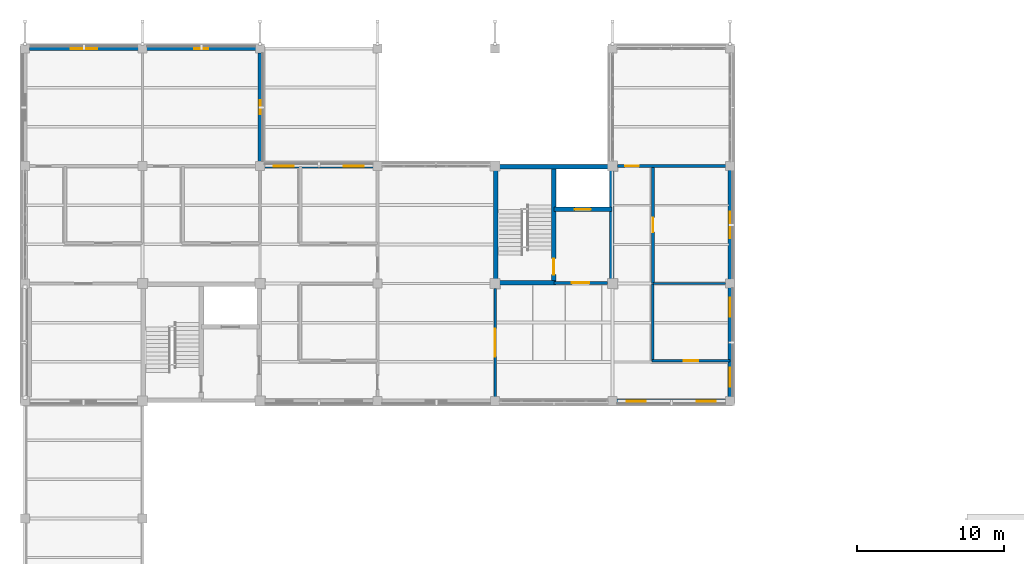
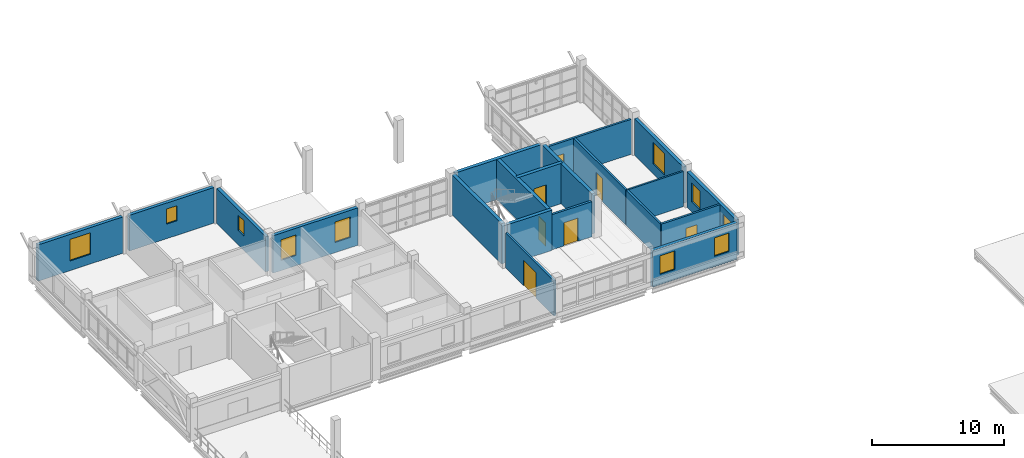
# One storey, part 25 of 35: 20 walls, 10 windows, 7 doors, 17 openings.
"""IFC4 building model written with IfcOpenShell, lengths in metres."""

from ifc_helpers import new_model, si_unit, derived_unit, direction, frame, frame_2d, origin, place, context, subcontext, project, spatial, rectangle, extrude, material, layer, layer_set, type_object, element, fill, save


model = new_model("IFC4")

# Units and contexts
model_context = context("Model", 3, precision=1e-05, world=origin(), true_north=direction((0.0, 1.0)))
body_context = subcontext(model_context, "Body", "Model", "MODEL_VIEW")
ifc_project = project(units=[si_unit("LENGTHUNIT", "METRE"), si_unit("AREAUNIT", "SQUARE_METRE"), si_unit("VOLUMEUNIT", "CUBIC_METRE"), si_unit("PLANEANGLEUNIT", "RADIAN"), si_unit("MASSUNIT", "GRAM", prefix="KILO"), derived_unit("THERMALTRANSMITTANCEUNIT", [(si_unit("MASSUNIT", "GRAM", prefix="KILO"), 1), (si_unit("TIMEUNIT", "SECOND"), -3), (si_unit("THERMODYNAMICTEMPERATUREUNIT", "KELVIN"), -1)])], contexts=[model_context])

# Site, building, storey
site_placement = place(None, origin())
site = spatial("IfcSite", under=ifc_project, at=site_placement, CompositionType="ELEMENT")
building_placement = place(site_placement, origin())
building = spatial("IfcBuilding", under=site, at=building_placement, Name="Veyamyaing Civic Hall", CompositionType="ELEMENT")
storey_placement = place(building_placement, frame((0.0, 0.0, 21.780029296875)))
storey = spatial("IfcBuildingStorey", under=building, at=storey_placement, Name="L05", CompositionType="ELEMENT", Elevation=21.780029296875)

# Wall, opening, window
ifc_material_1 = material(Name="Precast concrete C40/50", Category="concrete")
ifc_layer_1 = layer(ifc_material_1, 0.280029296875, Name="Precast concrete C40/50")
ifc_layer_set_1 = layer_set([ifc_layer_1], Name="Precast concrete C40/50")
wall_type_1 = type_object("IfcWallType", Name="WT-04", PredefinedType="SOLIDWALL", material=ifc_layer_set_1)
wall_1_placement = place(storey_placement, frame((0.284912109375, 112.0, 0.0), z_axis=(0.0, 0.0, 1.0), x_axis=(1.0, 0.0, 0.0)))
wall_1 = element("IfcWall", 1, at=wall_1_placement, inside=storey, type_object=wall_type_1, Name="Exterior facade wall WT-04 L05 N 1.14", PredefinedType="SOLIDWALL", context=body_context, shape_type="SweptSolid", body=[
    extrude(rectangle(XDim=7.43017578125, YDim=0.280029296875, at=frame_2d((3.715087890625, 0.0))), origin(), (0.0, 0.0, 1.0), 3.3720703125),
])
opening_1_placement = place(wall_1_placement, frame((2.81494140625, 0.0, 0.89990234375)))
opening_1 = element("IfcOpeningElement", 2, at=opening_1_placement, cuts=wall_1, Name="Opening W-10", PredefinedType="OPENING", context=body_context, shape_type="SweptSolid", body=[
    extrude(rectangle(XDim=1.800048828125, YDim=2.0, at=frame_2d((0.89990234375, 1.0))), frame((0.0, 0.14990234375, 0.0), z_axis=(0.0, -1.0, 0.0), x_axis=(1.0, 0.0, 0.0)), (0.0, 0.0, 1.0), 0.300048828125),
])
ifc_material_2 = material(Name="Low-E insulated glass", Category="glass")
window_type_1 = type_object("IfcWindowType", Name="W-10", PartitioningType="SINGLE_PANEL", PredefinedType="WINDOW", material=ifc_material_2)
window_1_placement = place(opening_1_placement, origin())
window_1 = element("IfcWindow", 3, at=window_1_placement, inside=storey, type_object=window_type_1, Name="Facade window W-10 L05 N 1.14", OverallHeight=2.0, OverallWidth=1.800048828125, PartitioningType="SINGLE_PANEL", PredefinedType="WINDOW", context=body_context, shape_type="SweptSolid", body=[
    extrude(rectangle(XDim=1.800048828125, YDim=2.0, at=frame_2d((0.89990234375, 1.0))), frame((0.0, 0.030029296875, 0.0), z_axis=(0.0, -1.0, 0.0), x_axis=(1.0, 0.0, 0.0)), (0.0, 0.0, 1.0), 0.06005859375),
])
fill(opening_1, window_1)

wall_2_placement = place(storey_placement, frame((8.284912109375, 112.0, 0.0), z_axis=(0.0, 0.0, 1.0), x_axis=(1.0, 0.0, 0.0)))
wall_2 = element("IfcWall", 4, at=wall_2_placement, inside=storey, type_object=wall_type_1, Name="Exterior facade wall WT-04 L05 N 2.14", PredefinedType="SOLIDWALL", context=body_context, shape_type="SweptSolid", body=[
    extrude(rectangle(XDim=7.43017578125, YDim=0.280029296875, at=frame_2d((3.715087890625, 0.0))), origin(), (0.0, 0.0, 1.0), 3.304931640625),
])
opening_2_placement = place(wall_2_placement, frame((3.239990234375, 0.0, 1.35009765625)))
opening_2 = element("IfcOpeningElement", 5, at=opening_2_placement, cuts=wall_2, Name="Opening W-20", PredefinedType="OPENING", context=body_context, shape_type="SweptSolid", body=[
    extrude(rectangle(XDim=0.949951171875, YDim=1.39990234375, at=frame_2d((0.47509765625, 0.699951171875))), frame((0.0, 0.14990234375, 0.0), z_axis=(0.0, -1.0, 0.0), x_axis=(1.0, 0.0, 0.0)), (0.0, 0.0, 1.0), 0.300048828125),
])
window_type_2 = type_object("IfcWindowType", Name="W-20", PartitioningType="SINGLE_PANEL", PredefinedType="WINDOW", material=ifc_material_2)
window_2_placement = place(opening_2_placement, origin())
window_2 = element("IfcWindow", 6, at=window_2_placement, inside=storey, type_object=window_type_2, Name="Facade window W-20 L05 N 2.14", OverallHeight=1.39990234375, OverallWidth=0.949951171875, PartitioningType="SINGLE_PANEL", PredefinedType="WINDOW", context=body_context, shape_type="SweptSolid", body=[
    extrude(rectangle(XDim=0.949951171875, YDim=1.39990234375, at=frame_2d((0.47509765625, 0.699951171875))), frame((0.0, 0.030029296875, 0.0), z_axis=(0.0, -1.0, 0.0), x_axis=(1.0, 0.0, 0.0)), (0.0, 0.0, 1.0), 0.06005859375),
])
fill(opening_2, window_2)

wall_3_placement = place(storey_placement, frame((16.0, 104.284912109375, 0.0), z_axis=(0.0, 0.0, 1.0), x_axis=(0.0, 1.0, 0.0)))
wall_3 = element("IfcWall", 7, at=wall_3_placement, inside=storey, type_object=wall_type_1, Name="Exterior facade wall WT-04 L05 E 2.14", PredefinedType="SOLIDWALL", context=body_context, shape_type="SweptSolid", body=[
    extrude(rectangle(XDim=7.43017578125, YDim=0.280029296875, at=frame_2d((3.715087890625, 0.0))), origin(), (0.0, 0.0, 1.0), 3.259033203125),
])
opening_3_placement = place(wall_3_placement, frame((3.239990234375, 0.0, 1.35009765625)))
opening_3 = element("IfcOpeningElement", 8, at=opening_3_placement, cuts=wall_3, Name="Opening W-20", PredefinedType="OPENING", context=body_context, shape_type="SweptSolid", body=[
    extrude(rectangle(XDim=0.949951171875, YDim=1.39990234375, at=frame_2d((0.47509765625, 0.699951171875))), frame((0.0, 0.14990234375, 0.0), z_axis=(0.0, -1.0, 0.0), x_axis=(1.0, 0.0, 0.0)), (0.0, 0.0, 1.0), 0.300048828125),
])
window_3_placement = place(opening_3_placement, origin())
window_3 = element("IfcWindow", 9, at=window_3_placement, inside=storey, type_object=window_type_2, Name="Facade window W-20 L05 E 2.14", OverallHeight=1.39990234375, OverallWidth=0.949951171875, PartitioningType="SINGLE_PANEL", PredefinedType="WINDOW", context=body_context, shape_type="SweptSolid", body=[
    extrude(rectangle(XDim=0.949951171875, YDim=1.39990234375, at=frame_2d((0.47509765625, 0.699951171875))), frame((0.0, 0.030029296875, 0.0), z_axis=(0.0, -1.0, 0.0), x_axis=(1.0, 0.0, 0.0)), (0.0, 0.0, 1.0), 0.06005859375),
])
fill(opening_3, window_3)

# Wall, openings, windows
wall_4_placement = place(storey_placement, frame((16.284912109375, 104.0, 0.0), z_axis=(0.0, 0.0, 1.0), x_axis=(1.0, 0.0, 0.0)))
wall_4 = element("IfcWall", 10, at=wall_4_placement, inside=storey, type_object=wall_type_1, Name="Exterior facade wall WT-04 L05 N 3.13", PredefinedType="SOLIDWALL", context=body_context, shape_type="SweptSolid", body=[
    extrude(rectangle(XDim=7.43017578125, YDim=0.280029296875, at=frame_2d((3.715087890625, 0.0))), origin(), (0.0, 0.0, 1.0), 3.468994140625),
])
opening_4_placement = place(wall_4_placement, frame((0.662353515625, 0.0, 0.949951171875)))
opening_4 = element("IfcOpeningElement", 11, at=opening_4_placement, cuts=wall_4, Name="Opening W-13", PredefinedType="OPENING", context=body_context, shape_type="SweptSolid", body=[
    extrude(rectangle(XDim=1.35009765625, YDim=1.89990234375, at=frame_2d((0.675048828125, 0.949951171875))), frame((0.0, 0.14990234375, 0.0), z_axis=(0.0, -1.0, 0.0), x_axis=(1.0, 0.0, 0.0)), (0.0, 0.0, 1.0), 0.300048828125),
])
opening_5_placement = place(wall_4_placement, frame((5.41748046875, 0.0, 0.949951171875)))
opening_5 = element("IfcOpeningElement", 12, at=opening_5_placement, cuts=wall_4, Name="Opening W-13", PredefinedType="OPENING", context=body_context, shape_type="SweptSolid", body=[
    extrude(rectangle(XDim=1.35009765625, YDim=1.89990234375, at=frame_2d((0.675048828125, 0.949951171875))), frame((0.0, 0.14990234375, 0.0), z_axis=(0.0, -1.0, 0.0), x_axis=(1.0, 0.0, 0.0)), (0.0, 0.0, 1.0), 0.300048828125),
])
window_type_3 = type_object("IfcWindowType", Name="W-13", PartitioningType="SINGLE_PANEL", PredefinedType="WINDOW", material=ifc_material_2)
window_4_placement = place(opening_4_placement, origin())
window_4 = element("IfcWindow", 13, at=window_4_placement, inside=storey, type_object=window_type_3, Name="Facade window W-13 L05 N 3.13.1", OverallHeight=1.89990234375, OverallWidth=1.35009765625, PartitioningType="SINGLE_PANEL", PredefinedType="WINDOW", context=body_context, shape_type="SweptSolid", body=[
    extrude(rectangle(XDim=1.35009765625, YDim=1.89990234375, at=frame_2d((0.675048828125, 0.949951171875))), frame((0.0, 0.030029296875, 0.0), z_axis=(0.0, -1.0, 0.0), x_axis=(1.0, 0.0, 0.0)), (0.0, 0.0, 1.0), 0.06005859375),
])
fill(opening_4, window_4)
window_5_placement = place(opening_5_placement, origin())
window_5 = element("IfcWindow", 14, at=window_5_placement, inside=storey, type_object=window_type_3, Name="Facade window W-13 L05 N 3.13.2", OverallHeight=1.89990234375, OverallWidth=1.35009765625, PartitioningType="SINGLE_PANEL", PredefinedType="WINDOW", context=body_context, shape_type="SweptSolid", body=[
    extrude(rectangle(XDim=1.35009765625, YDim=1.89990234375, at=frame_2d((0.675048828125, 0.949951171875))), frame((0.0, 0.030029296875, 0.0), z_axis=(0.0, -1.0, 0.0), x_axis=(1.0, 0.0, 0.0)), (0.0, 0.0, 1.0), 0.06005859375),
])
fill(opening_5, window_5)

wall_5_placement = place(storey_placement, frame((40.284912109375, 88.0, 0.0), z_axis=(0.0, 0.0, 1.0), x_axis=(1.0, 0.0, 0.0)))
wall_5 = element("IfcWall", 15, at=wall_5_placement, inside=storey, type_object=wall_type_1, Name="Exterior facade wall WT-04 L05 S 6.12", PredefinedType="SOLIDWALL", context=body_context, shape_type="SweptSolid", body=[
    extrude(rectangle(XDim=7.43017578125, YDim=0.280029296875, at=frame_2d((3.715087890625, 0.0))), origin(), (0.0, 0.0, 1.0), 3.368896484375),
])
opening_6_placement = place(wall_5_placement, frame((0.697509765625, 0.0, 0.949951171875)))
opening_6 = element("IfcOpeningElement", 16, at=opening_6_placement, cuts=wall_5, Name="Opening W-31", PredefinedType="OPENING", context=body_context, shape_type="SweptSolid", body=[
    extrude(rectangle(XDim=1.280029296875, YDim=1.719970703125, at=frame_2d((0.64013671875, 0.85986328125))), frame((0.0, 0.14990234375, 0.0), z_axis=(0.0, -1.0, 0.0), x_axis=(1.0, 0.0, 0.0)), (0.0, 0.0, 1.0), 0.300048828125),
])
opening_7_placement = place(wall_5_placement, frame((5.45263671875, 0.0, 0.949951171875)))
opening_7 = element("IfcOpeningElement", 17, at=opening_7_placement, cuts=wall_5, Name="Opening W-31", PredefinedType="OPENING", context=body_context, shape_type="SweptSolid", body=[
    extrude(rectangle(XDim=1.280029296875, YDim=1.719970703125, at=frame_2d((0.64013671875, 0.85986328125))), frame((0.0, 0.14990234375, 0.0), z_axis=(0.0, -1.0, 0.0), x_axis=(1.0, 0.0, 0.0)), (0.0, 0.0, 1.0), 0.300048828125),
])
window_type_4 = type_object("IfcWindowType", Name="W-31", PartitioningType="SINGLE_PANEL", PredefinedType="WINDOW", material=ifc_material_2)
window_6_placement = place(opening_6_placement, origin())
window_6 = element("IfcWindow", 18, at=window_6_placement, inside=storey, type_object=window_type_4, Name="Facade window W-31 L05 S 6.12.1", OverallHeight=1.719970703125, OverallWidth=1.280029296875, PartitioningType="SINGLE_PANEL", PredefinedType="WINDOW", context=body_context, shape_type="SweptSolid", body=[
    extrude(rectangle(XDim=1.280029296875, YDim=1.719970703125, at=frame_2d((0.64013671875, 0.85986328125))), frame((0.0, 0.030029296875, 0.0), z_axis=(0.0, -1.0, 0.0), x_axis=(1.0, 0.0, 0.0)), (0.0, 0.0, 1.0), 0.06005859375),
])
fill(opening_6, window_6)
window_7_placement = place(opening_7_placement, origin())
window_7 = element("IfcWindow", 19, at=window_7_placement, inside=storey, type_object=window_type_4, Name="Facade window W-31 L05 S 6.12.2", OverallHeight=1.719970703125, OverallWidth=1.280029296875, PartitioningType="SINGLE_PANEL", PredefinedType="WINDOW", context=body_context, shape_type="SweptSolid", body=[
    extrude(rectangle(XDim=1.280029296875, YDim=1.719970703125, at=frame_2d((0.64013671875, 0.85986328125))), frame((0.0, 0.030029296875, 0.0), z_axis=(0.0, -1.0, 0.0), x_axis=(1.0, 0.0, 0.0)), (0.0, 0.0, 1.0), 0.06005859375),
])
fill(opening_7, window_7)

wall_6_placement = place(storey_placement, frame((48.0, 88.284912109375, 0.0), z_axis=(0.0, 0.0, 1.0), x_axis=(0.0, 1.0, 0.0)))
wall_6 = element("IfcWall", 20, at=wall_6_placement, inside=storey, type_object=wall_type_1, Name="Exterior facade wall WT-04 L05 E 6.12", PredefinedType="SOLIDWALL", context=body_context, shape_type="SweptSolid", body=[
    extrude(rectangle(XDim=7.43017578125, YDim=0.280029296875, at=frame_2d((3.715087890625, 0.0))), origin(), (0.0, 0.0, 1.0), 3.30908203125),
])
opening_8_placement = place(wall_6_placement, frame((0.697509765625, 0.0, 0.949951171875)))
opening_8 = element("IfcOpeningElement", 21, at=opening_8_placement, cuts=wall_6, Name="Opening W-31", PredefinedType="OPENING", context=body_context, shape_type="SweptSolid", body=[
    extrude(rectangle(XDim=1.280029296875, YDim=1.719970703125, at=frame_2d((0.64013671875, 0.85986328125))), frame((0.0, 0.14990234375, 0.0), z_axis=(0.0, -1.0, 0.0), x_axis=(1.0, 0.0, 0.0)), (0.0, 0.0, 1.0), 0.300048828125),
])
opening_9_placement = place(wall_6_placement, frame((5.45263671875, 0.0, 0.949951171875)))
opening_9 = element("IfcOpeningElement", 22, at=opening_9_placement, cuts=wall_6, Name="Opening W-31", PredefinedType="OPENING", context=body_context, shape_type="SweptSolid", body=[
    extrude(rectangle(XDim=1.280029296875, YDim=1.719970703125, at=frame_2d((0.64013671875, 0.85986328125))), frame((0.0, 0.14990234375, 0.0), z_axis=(0.0, -1.0, 0.0), x_axis=(1.0, 0.0, 0.0)), (0.0, 0.0, 1.0), 0.300048828125),
])
window_8_placement = place(opening_8_placement, origin())
window_8 = element("IfcWindow", 23, at=window_8_placement, inside=storey, type_object=window_type_4, Name="Facade window W-31 L05 E 6.12.1", OverallHeight=1.719970703125, OverallWidth=1.280029296875, PartitioningType="SINGLE_PANEL", PredefinedType="WINDOW", context=body_context, shape_type="SweptSolid", body=[
    extrude(rectangle(XDim=1.280029296875, YDim=1.719970703125, at=frame_2d((0.64013671875, 0.85986328125))), frame((0.0, 0.030029296875, 0.0), z_axis=(0.0, -1.0, 0.0), x_axis=(1.0, 0.0, 0.0)), (0.0, 0.0, 1.0), 0.06005859375),
])
fill(opening_8, window_8)
window_9_placement = place(opening_9_placement, origin())
window_9 = element("IfcWindow", 24, at=window_9_placement, inside=storey, type_object=window_type_4, Name="Facade window W-31 L05 E 6.12.2", OverallHeight=1.719970703125, OverallWidth=1.280029296875, PartitioningType="SINGLE_PANEL", PredefinedType="WINDOW", context=body_context, shape_type="SweptSolid", body=[
    extrude(rectangle(XDim=1.280029296875, YDim=1.719970703125, at=frame_2d((0.64013671875, 0.85986328125))), frame((0.0, 0.030029296875, 0.0), z_axis=(0.0, -1.0, 0.0), x_axis=(1.0, 0.0, 0.0)), (0.0, 0.0, 1.0), 0.06005859375),
])
fill(opening_9, window_9)

# Wall, opening, window
wall_7_placement = place(storey_placement, frame((48.0, 96.284912109375, 0.0), z_axis=(0.0, 0.0, 1.0), x_axis=(0.0, 1.0, 0.0)))
wall_7 = element("IfcWall", 25, at=wall_7_placement, inside=storey, type_object=wall_type_1, Name="Exterior facade wall WT-04 L05 E 6.13", PredefinedType="SOLIDWALL", context=body_context, shape_type="SweptSolid", body=[
    extrude(rectangle(XDim=7.43017578125, YDim=0.280029296875, at=frame_2d((3.715087890625, 0.0))), origin(), (0.0, 0.0, 1.0), 3.3720703125),
])
opening_10_placement = place(wall_7_placement, frame((2.81494140625, 0.0, 0.89990234375)))
opening_10 = element("IfcOpeningElement", 26, at=opening_10_placement, cuts=wall_7, Name="Opening W-10", PredefinedType="OPENING", context=body_context, shape_type="SweptSolid", body=[
    extrude(rectangle(XDim=1.800048828125, YDim=2.0, at=frame_2d((0.89990234375, 1.0))), frame((0.0, 0.14990234375, 0.0), z_axis=(0.0, -1.0, 0.0), x_axis=(1.0, 0.0, 0.0)), (0.0, 0.0, 1.0), 0.300048828125),
])
window_10_placement = place(opening_10_placement, origin())
window_10 = element("IfcWindow", 27, at=window_10_placement, inside=storey, type_object=window_type_1, Name="Facade window W-10 L05 E 6.13", OverallHeight=2.0, OverallWidth=1.800048828125, PartitioningType="SINGLE_PANEL", PredefinedType="WINDOW", context=body_context, shape_type="SweptSolid", body=[
    extrude(rectangle(XDim=1.800048828125, YDim=2.0, at=frame_2d((0.89990234375, 1.0))), frame((0.0, 0.030029296875, 0.0), z_axis=(0.0, -1.0, 0.0), x_axis=(1.0, 0.0, 0.0)), (0.0, 0.0, 1.0), 0.06005859375),
])
fill(opening_10, window_10)

# Walls
ifc_material_3 = material(Name="Concrete C40/50", Category="concrete")
ifc_layer_2 = layer(ifc_material_3, 0.300048828125, Name="Concrete C40/50")
ifc_layer_set_2 = layer_set([ifc_layer_2], Name="Concrete C40/50")
wall_type_2 = type_object("IfcWallType", Name="WT-05", PredefinedType="SHEAR", material=ifc_layer_set_2)
for number, where, z_axis, x_axis, name in (
    (28, (32.050048828125, 96.239990234375, 0.0), (0.0, 0.0, 1.0), (0.0, 1.0, 0.0), "Core shear wall WT-05 CORE-2 L05.W"),
    (29, (32.239990234375, 103.949951171875, 0.0), (0.0, 0.0, 1.0), (1.0, 0.0, 0.0), "Core shear wall WT-05 CORE-2 L05.N"),
    (30, (39.949951171875, 96.239990234375, 0.0), (0.0, 0.0, 1.0), (0.0, 1.0, 0.0), "Core shear wall WT-05 CORE-2 L05.E"),
):
    element("IfcWall", number, at=place(storey_placement, frame(where, z_axis=z_axis, x_axis=x_axis)), inside=storey, type_object=wall_type_2, Name=name, PredefinedType="SHEAR", context=body_context, shape_type="SweptSolid", body=[
        extrude(rectangle(XDim=7.52001953125, YDim=0.300048828125, at=frame_2d((3.760009765625, 0.0))), origin(), (0.0, 0.0, 1.0), 3.73486328125),
    ])
wall_8_placement = place(storey_placement, frame((32.239990234375, 96.050048828125, 0.0), z_axis=(0.0, 0.0, 1.0), x_axis=(1.0, 0.0, 0.0)))
element("IfcWall", 31, at=wall_8_placement, inside=storey, type_object=wall_type_2, Name="Core shear wall WT-05 CORE-2 L05.SS", PredefinedType="SHEAR", context=body_context, shape_type="SweptSolid", body=[
    extrude(rectangle(XDim=3.909912109375, YDim=0.300048828125, at=frame_2d((1.955078125, 0.0))), origin(), (0.0, 0.0, 1.0), 3.73486328125),
])

# Wall, opening, door
wall_9_placement = place(storey_placement, frame((36.0, 96.050048828125, 0.0), z_axis=(0.0, 0.0, 1.0), x_axis=(0.0, 1.0, 0.0)))
wall_9 = element("IfcWall", 32, at=wall_9_placement, inside=storey, type_object=wall_type_2, Name="Core shear wall WT-05 CORE-2 L05.MID", PredefinedType="SHEAR", context=body_context, shape_type="SweptSolid", body=[
    extrude(rectangle(XDim=7.89990234375, YDim=0.300048828125, at=frame_2d((3.949951171875, 0.0))), origin(), (0.0, 0.0, 1.0), 3.73486328125),
])
opening_11_placement = place(wall_9_placement, frame((0.550048828125, 0.0, 0.0)))
opening_11 = element("IfcOpeningElement", 33, at=opening_11_placement, cuts=wall_9, Name="Opening D-03", PredefinedType="OPENING", context=body_context, shape_type="SweptSolid", body=[
    extrude(rectangle(XDim=1.10009765625, YDim=2.14990234375, at=frame_2d((0.550048828125, 1.074951171875))), frame((0.0, 0.159912109375, 0.0), z_axis=(0.0, -1.0, 0.0), x_axis=(1.0, 0.0, 0.0)), (0.0, 0.0, 1.0), 0.320068359375),
])
ifc_material_4 = material(Name="Galvanized steel S355J2", Category="steel")
door_type_1 = type_object("IfcDoorType", Name="D-03", OperationType="NOTDEFINED", PredefinedType="DOOR", material=ifc_material_4)
door_1_placement = place(opening_11_placement, origin())
door_1 = element("IfcDoor", 34, at=door_1_placement, inside=storey, type_object=door_type_1, Name="Exit stair fire door D-03 ST-02 L05", OperationType="SINGLE_SWING_LEFT", OverallHeight=2.14990234375, OverallWidth=1.10009765625, PredefinedType="DOOR", context=body_context, shape_type="SweptSolid", body=[
    extrude(rectangle(XDim=1.10009765625, YDim=2.14990234375, at=frame_2d((0.550048828125, 1.074951171875))), frame((0.0, 0.02490234375, 0.0), z_axis=(0.0, -1.0, 0.0), x_axis=(1.0, 0.0, 0.0)), (0.0, 0.0, 1.0), 0.050048828125),
])
fill(opening_11, door_1)

wall_10_placement = place(storey_placement, frame((36.0, 101.050048828125, 0.0), z_axis=(0.0, 0.0, 1.0), x_axis=(1.0, 0.0, 0.0)))
wall_10 = element("IfcWall", 35, at=wall_10_placement, inside=storey, type_object=wall_type_2, Name="Core shear wall WT-05 CORE-2 L05.LFT", PredefinedType="SHEAR", context=body_context, shape_type="SweptSolid", body=[
    extrude(rectangle(XDim=3.949951171875, YDim=0.300048828125, at=frame_2d((1.97509765625, 0.0))), origin(), (0.0, 0.0, 1.0), 3.73486328125),
])
opening_12_placement = place(wall_10_placement, frame((1.425048828125, 0.0, 0.0)))
opening_12 = element("IfcOpeningElement", 36, at=opening_12_placement, cuts=wall_10, Name="Opening LD-01", PredefinedType="OPENING", context=body_context, shape_type="SweptSolid", body=[
    extrude(rectangle(XDim=1.10009765625, YDim=2.199951171875, at=frame_2d((0.550048828125, 1.10009765625))), frame((0.0, 0.159912109375, 0.0), z_axis=(0.0, -1.0, 0.0), x_axis=(1.0, 0.0, 0.0)), (0.0, 0.0, 1.0), 0.320068359375),
])
ifc_material_5 = material(Name="Anodised aluminium 6063-T6", Category="aluminium")
door_type_2 = type_object("IfcDoorType", Name="LD-01", OperationType="SLIDING_TO_LEFT", PredefinedType="DOOR", material=ifc_material_5)
door_2_placement = place(opening_12_placement, origin())
door_2 = element("IfcDoor", 37, at=door_2_placement, inside=storey, type_object=door_type_2, Name="Lift sliding landing door LD-01 PL-01 L05", OperationType="SLIDING_TO_LEFT", OverallHeight=2.199951171875, OverallWidth=1.10009765625, PredefinedType="DOOR", context=body_context, shape_type="SweptSolid", body=[
    extrude(rectangle(XDim=1.10009765625, YDim=2.199951171875, at=frame_2d((0.550048828125, 1.10009765625))), frame((0.0, 0.02490234375, 0.0), z_axis=(0.0, -1.0, 0.0), x_axis=(1.0, 0.0, 0.0)), (0.0, 0.0, 1.0), 0.050048828125),
])
fill(opening_12, door_2)

ifc_layer_3 = layer(ifc_material_3, 0.199951171875, Name="Concrete C40/50")
ifc_layer_set_3 = layer_set([ifc_layer_3], Name="Concrete C40/50")
wall_type_3 = type_object("IfcWallType", Name="WT-06", PredefinedType="PARTITIONING", material=ifc_layer_set_3)
wall_11_placement = place(storey_placement, frame((36.0, 96.050048828125, 0.0), z_axis=(0.0, 0.0, 1.0), x_axis=(1.0, 0.0, 0.0)))
wall_11 = element("IfcWall", 38, at=wall_11_placement, inside=storey, type_object=wall_type_3, Name="Firefighting lift lobby wall WT-06 CORE-2 L05", PredefinedType="PARTITIONING", context=body_context, shape_type="SweptSolid", body=[
    extrude(rectangle(XDim=3.659912109375, YDim=0.199951171875, at=frame_2d((1.830078125, 0.0))), origin(), (0.0, 0.0, 1.0), 3.257080078125),
])
opening_13_placement = place(wall_11_placement, frame((1.22998046875, 0.0, 0.0)))
opening_13 = element("IfcOpeningElement", 39, at=opening_13_placement, cuts=wall_11, Name="Opening D-04", PredefinedType="OPENING", context=body_context, shape_type="SweptSolid", body=[
    extrude(rectangle(XDim=1.199951171875, YDim=2.14990234375, at=frame_2d((0.60009765625, 1.074951171875))), frame((0.0, 0.10986328125, 0.0), z_axis=(0.0, -1.0, 0.0), x_axis=(1.0, 0.0, 0.0)), (0.0, 0.0, 1.0), 0.219970703125),
])
door_type_3 = type_object("IfcDoorType", Name="D-04", OperationType="NOTDEFINED", PredefinedType="DOOR", material=ifc_material_4)
door_3_placement = place(opening_13_placement, frame((1.199951171875, 0.0, 0.0), z_axis=(0.0, 0.0, 1.0), x_axis=(-1.0, 0.0, 0.0)))
door_3 = element("IfcDoor", 40, at=door_3_placement, inside=storey, type_object=door_type_3, Name="Protected lobby fire door D-04 CORE-2 L05", OperationType="SINGLE_SWING_RIGHT", OverallHeight=2.14990234375, OverallWidth=1.199951171875, PredefinedType="DOOR", context=body_context, shape_type="SweptSolid", body=[
    extrude(rectangle(XDim=1.199951171875, YDim=2.14990234375, at=frame_2d((0.60009765625, 1.074951171875))), frame((0.0, 0.02490234375, 0.0), z_axis=(0.0, -1.0, 0.0), x_axis=(1.0, 0.0, 0.0)), (0.0, 0.0, 1.0), 0.050048828125),
])
fill(opening_13, door_3)

ifc_material_6 = material(Name="Gypsum board on acoustic steel stud", Category="steel")
ifc_layer_4 = layer(ifc_material_6, 0.175048828125, Name="Gypsum board on acoustic steel stud")
ifc_layer_set_4 = layer_set([ifc_layer_4], Name="Gypsum board on acoustic steel stud")
wall_type_4 = type_object("IfcWallType", Name="WT-07", PredefinedType="PARTITIONING", material=ifc_layer_set_4)
wall_12_placement = place(storey_placement, frame((42.699951171875, 90.75, 0.0), z_axis=(0.0, 0.0, 1.0), x_axis=(1.0, 0.0, 0.0)))
wall_12 = element("IfcWall", 41, at=wall_12_placement, inside=storey, type_object=wall_type_4, Name="Corridor gallery partition WT-07 L05.5.1", PredefinedType="PARTITIONING", context=body_context, shape_type="SweptSolid", body=[
    extrude(rectangle(XDim=5.280029296875, YDim=0.175048828125, at=frame_2d((2.64013671875, 0.0))), origin(), (0.0, 0.0, 1.0), 3.302001953125),
])
opening_14_placement = place(wall_12_placement, frame((2.139892578125, 0.0, 0.0)))
opening_14 = element("IfcOpeningElement", 42, at=opening_14_placement, cuts=wall_12, Name="Opening D-13", PredefinedType="OPENING", context=body_context, shape_type="SweptSolid", body=[
    extrude(rectangle(XDim=1.0, YDim=2.14990234375, at=frame_2d((0.5, 1.074951171875))), frame((0.0, 0.097412109375, 0.0), z_axis=(0.0, -1.0, 0.0), x_axis=(1.0, 0.0, 0.0)), (0.0, 0.0, 1.0), 0.195068359375),
])
ifc_material_7 = material(Name="Teak-veneered acoustic timber", Category="wood")
door_type_4 = type_object("IfcDoorType", Name="D-13", OperationType="NOTDEFINED", PredefinedType="DOOR", material=ifc_material_7)
door_4_placement = place(opening_14_placement, origin())
door_4 = element("IfcDoor", 43, at=door_4_placement, inside=storey, type_object=door_type_4, Name="Gallery office door D-13 L05.5", OperationType="SINGLE_SWING_LEFT", OverallHeight=2.14990234375, OverallWidth=1.0, PredefinedType="DOOR", context=body_context, shape_type="SweptSolid", body=[
    extrude(rectangle(XDim=1.0, YDim=2.14990234375, at=frame_2d((0.5, 1.074951171875))), frame((0.0, 0.02490234375, 0.0), z_axis=(0.0, -1.0, 0.0), x_axis=(1.0, 0.0, 0.0)), (0.0, 0.0, 1.0), 0.050048828125),
])
fill(opening_14, door_4)

# Wall
wall_13_placement = place(storey_placement, frame((42.75, 90.699951171875, 0.0), z_axis=(0.0, 0.0, 1.0), x_axis=(0.0, 1.0, 0.0)))
element("IfcWall", 44, at=wall_13_placement, inside=storey, type_object=wall_type_4, Name="Corridor gallery partition WT-07 L05.5.2", PredefinedType="PARTITIONING", context=body_context, shape_type="SweptSolid", body=[
    extrude(rectangle(XDim=5.280029296875, YDim=0.175048828125, at=frame_2d((2.64013671875, 0.0))), origin(), (0.0, 0.0, 1.0), 3.258056640625),
])

# Wall, opening, door
wall_14_placement = place(storey_placement, frame((32.0, 88.2900390625, 0.0), z_axis=(0.0, 0.0, 1.0), x_axis=(0.0, 1.0, 0.0)))
wall_14 = element("IfcWall", 45, at=wall_14_placement, inside=storey, type_object=wall_type_4, Name="Interior partition wall WT-07 L05.7", PredefinedType="PARTITIONING", context=body_context, shape_type="SweptSolid", body=[
    extrude(rectangle(XDim=7.369873046875, YDim=0.175048828125, at=frame_2d((3.68505859375, 0.0))), origin(), (0.0, 0.0, 1.0), 3.251953125),
])
opening_15_placement = place(wall_14_placement, frame((2.735107421875, 0.0, 0.0)))
opening_15 = element("IfcOpeningElement", 46, at=opening_15_placement, cuts=wall_14, Name="Opening D-31", PredefinedType="OPENING", context=body_context, shape_type="SweptSolid", body=[
    extrude(rectangle(XDim=1.89990234375, YDim=2.3798828125, at=frame_2d((0.949951171875, 1.18994140625))), frame((0.0, 0.097412109375, 0.0), z_axis=(0.0, -1.0, 0.0), x_axis=(1.0, 0.0, 0.0)), (0.0, 0.0, 1.0), 0.195068359375),
])
door_type_5 = type_object("IfcDoorType", Name="D-31", OperationType="DOUBLE_DOOR_SINGLE_SWING", PredefinedType="DOOR", material=ifc_material_7)
door_5_placement = place(opening_15_placement, origin())
door_5 = element("IfcDoor", 47, at=door_5_placement, inside=storey, type_object=door_type_5, Name="Interior door D-31 L05.7", OperationType="DOUBLE_DOOR_SINGLE_SWING", OverallHeight=2.3798828125, OverallWidth=1.89990234375, PredefinedType="DOOR", context=body_context, shape_type="SweptSolid", body=[
    extrude(rectangle(XDim=1.89990234375, YDim=2.3798828125, at=frame_2d((0.949951171875, 1.18994140625))), frame((0.0, 0.02490234375, 0.0), z_axis=(0.0, -1.0, 0.0), x_axis=(1.0, 0.0, 0.0)), (0.0, 0.0, 1.0), 0.050048828125),
])
fill(opening_15, door_5)

# Wall
ifc_material_8 = material(Name="Gypsum board on steel stud", Category="steel")
ifc_layer_5 = layer(ifc_material_8, 0.14990234375, Name="Gypsum board on steel stud")
ifc_layer_set_5 = layer_set([ifc_layer_5], Name="Gypsum board on steel stud")
wall_type_5 = type_object("IfcWallType", Name="WT-08", PredefinedType="PARTITIONING", material=ifc_layer_set_5)
wall_15_placement = place(storey_placement, frame((42.75, 96.0, 0.0), z_axis=(0.0, 0.0, 1.0), x_axis=(1.0, 0.0, 0.0)))
element("IfcWall", 48, at=wall_15_placement, inside=storey, type_object=wall_type_5, Name="Gallery office end partition WT-08 L05.5.1", PredefinedType="PARTITIONING", context=body_context, shape_type="SweptSolid", body=[
    extrude(rectangle(XDim=4.93994140625, YDim=0.14990234375, at=frame_2d((2.469970703125, 0.0))), origin(), (0.0, 0.0, 1.0), 3.258056640625),
])

# Wall, opening, door
ifc_material_9 = material(Name="Gypsum board on double acoustic stud")
ifc_layer_6 = layer(ifc_material_9, 0.18505859375, Name="Gypsum board on double acoustic stud")
ifc_layer_set_6 = layer_set([ifc_layer_6], Name="Gypsum board on double acoustic stud")
wall_type_6 = type_object("IfcWallType", Name="WT-19", PredefinedType="PARTITIONING", material=ifc_layer_set_6)
wall_16_placement = place(storey_placement, frame((42.75, 96.02001953125, 0.0), z_axis=(0.0, 0.0, 1.0), x_axis=(0.0, 1.0, 0.0)))
wall_16 = element("IfcWall", 49, at=wall_16_placement, inside=storey, type_object=wall_type_6, Name="Corridor gallery partition WT-19 L05.6.1", PredefinedType="PARTITIONING", context=body_context, shape_type="SweptSolid", body=[
    extrude(rectangle(XDim=7.9599609375, YDim=0.18505859375, at=frame_2d((3.97998046875, 0.0))), origin(), (0.0, 0.0, 1.0), 3.245849609375),
])
opening_16_placement = place(wall_16_placement, frame((3.489990234375, 0.0, 0.0)))
opening_16 = element("IfcOpeningElement", 50, at=opening_16_placement, cuts=wall_16, Name="Opening D-14", PredefinedType="OPENING", context=body_context, shape_type="SweptSolid", body=[
    extrude(rectangle(XDim=0.97998046875, YDim=2.14990234375, at=frame_2d((0.489990234375, 1.074951171875))), frame((0.0, 0.1025390625, 0.0), z_axis=(0.0, -1.0, 0.0), x_axis=(1.0, 0.0, 0.0)), (0.0, 0.0, 1.0), 0.205078125),
])
door_type_6 = type_object("IfcDoorType", Name="D-14", OperationType="NOTDEFINED", PredefinedType="DOOR", material=ifc_material_7)
door_6_placement = place(opening_16_placement, frame((0.97998046875, 0.0, 0.0), z_axis=(0.0, 0.0, 1.0), x_axis=(-1.0, 0.0, 0.0)))
door_6 = element("IfcDoor", 51, at=door_6_placement, inside=storey, type_object=door_type_6, Name="Gallery office door D-14 L05.6", OperationType="SINGLE_SWING_RIGHT", OverallHeight=2.14990234375, OverallWidth=0.97998046875, PredefinedType="DOOR", context=body_context, shape_type="SweptSolid", body=[
    extrude(rectangle(XDim=0.97998046875, YDim=2.14990234375, at=frame_2d((0.489990234375, 1.074951171875))), frame((0.0, 0.02490234375, 0.0), z_axis=(0.0, -1.0, 0.0), x_axis=(1.0, 0.0, 0.0)), (0.0, 0.0, 1.0), 0.050048828125),
])
fill(opening_16, door_6)

wall_17_placement = place(storey_placement, frame((40.340087890625, 104.0, 0.0), z_axis=(0.0, 0.0, 1.0), x_axis=(1.0, 0.0, 0.0)))
wall_17 = element("IfcWall", 52, at=wall_17_placement, inside=storey, type_object=wall_type_6, Name="Interior partition wall WT-19 L05.8", PredefinedType="PARTITIONING", context=body_context, shape_type="SweptSolid", body=[
    extrude(rectangle(XDim=7.369873046875, YDim=0.18505859375, at=frame_2d((3.68505859375, 0.0))), origin(), (0.0, 0.0, 1.0), 3.245849609375),
])
opening_17_placement = place(wall_17_placement, frame((0.52001953125, 0.0, 0.0)))
opening_17 = element("IfcOpeningElement", 53, at=opening_17_placement, cuts=wall_17, Name="Opening D-30", PredefinedType="OPENING", context=body_context, shape_type="SweptSolid", body=[
    extrude(rectangle(XDim=0.93994140625, YDim=2.1201171875, at=frame_2d((0.469970703125, 1.06005859375))), frame((0.0, 0.1025390625, 0.0), z_axis=(0.0, -1.0, 0.0), x_axis=(1.0, 0.0, 0.0)), (0.0, 0.0, 1.0), 0.205078125),
])
door_type_7 = type_object("IfcDoorType", Name="D-30", OperationType="NOTDEFINED", PredefinedType="DOOR", material=ifc_material_7)
door_7_placement = place(opening_17_placement, origin())
door_7 = element("IfcDoor", 54, at=door_7_placement, inside=storey, type_object=door_type_7, Name="Interior door D-30 L05.8", OperationType="SINGLE_SWING_LEFT", OverallHeight=2.1201171875, OverallWidth=0.93994140625, PredefinedType="DOOR", context=body_context, shape_type="SweptSolid", body=[
    extrude(rectangle(XDim=0.93994140625, YDim=2.1201171875, at=frame_2d((0.469970703125, 1.06005859375))), frame((0.0, 0.02490234375, 0.0), z_axis=(0.0, -1.0, 0.0), x_axis=(1.0, 0.0, 0.0)), (0.0, 0.0, 1.0), 0.050048828125),
])
fill(opening_17, door_7)

save(model, "model.ifc")
